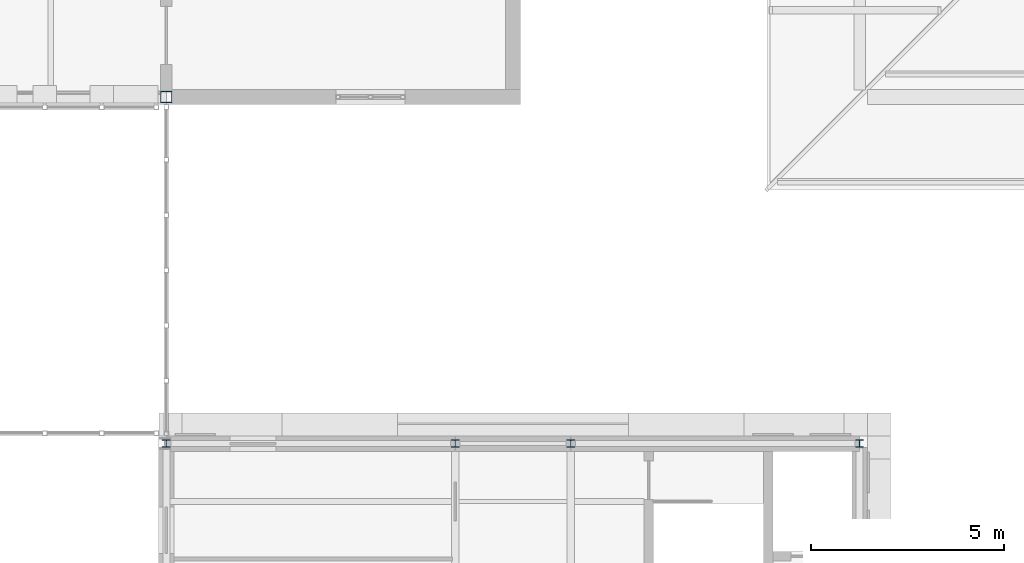
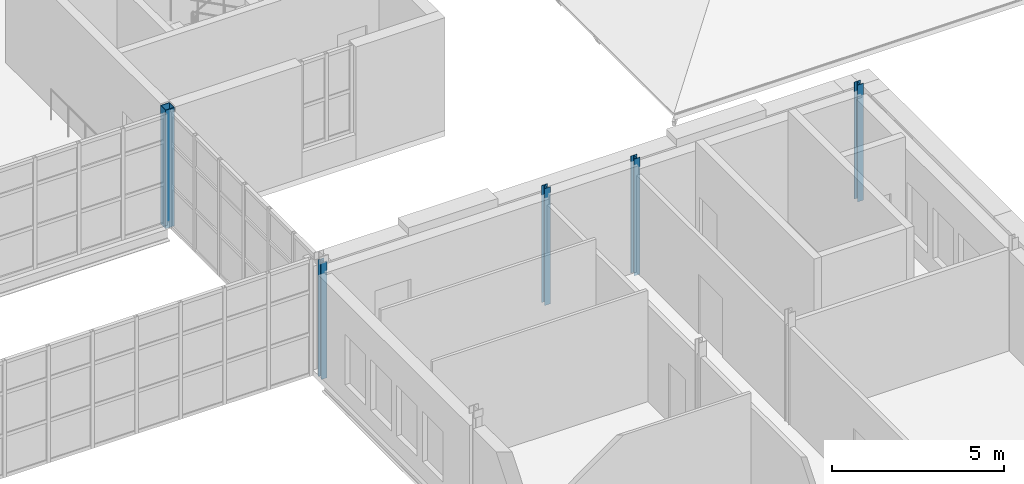
# One storey, part 15 of 154: 5 columns.
"""IFC4 building model written with IfcOpenShell, lengths in metres."""

from ifc_helpers import new_model, si_unit, direction, frame, origin, origin_2d, place, context, subcontext, project, spatial, hollow_rectangle, i_section, extrude, material, material_profile, profile_set, type_object, element, save


model = new_model("IFC4")

# Units and contexts
model_context = context("Model", 3, precision=1e-05, world=origin(), true_north=direction((0.0, 1.0)))
body_context = subcontext(model_context, "Body", "Model", "MODEL_VIEW")
ifc_project = project(units=[si_unit("LENGTHUNIT", "METRE"), si_unit("AREAUNIT", "SQUARE_METRE"), si_unit("VOLUMEUNIT", "CUBIC_METRE"), si_unit("PLANEANGLEUNIT", "RADIAN"), si_unit("MASSUNIT", "GRAM", prefix="KILO")], contexts=[model_context])

# Site, building, storey
site_placement = place(None, origin())
site = spatial("IfcSite", under=ifc_project, at=site_placement, CompositionType="ELEMENT")
building_placement = place(site_placement, origin())
building = spatial("IfcBuilding", under=site, at=building_placement, Name="Golden Quay Civic Hall", CompositionType="ELEMENT")
storey_placement = place(building_placement, frame((0.0, 0.0, 14.39990234375)))
storey = spatial("IfcBuildingStorey", under=building, at=storey_placement, Name="L03", CompositionType="ELEMENT", Elevation=14.39990234375)

# Columns
ifc_material_1 = material(Name="Steel S355", Category="steel")
ifc_material_profile_1 = material_profile(ifc_material_1, i_section(OverallWidth=0.199951171875, OverallDepth=0.18994140625, WebThickness=0.006591796875, FlangeThickness=0.010009765625, FilletRadius=0.01806640625, at=origin_2d()), Name="HEA 200")
ifc_profile_set_1 = profile_set([ifc_material_profile_1], Name="Steel S355")
column_type_1 = type_object("IfcColumnType", Name="Steel column HEA 200", PredefinedType="COLUMN", material=ifc_profile_set_1)
for number, where, z_axis, x_axis, name in (
    (1, (99.0, 54.0, -0.199951171875), (0.0, 0.0, 1.0), (1.0, 0.0, 0.0), "Column 99/54 L03"),
    (2, (106.5, 54.0, -0.199951171875), (0.0, 0.0, 1.0), (1.0, 0.0, 0.0), "Column 106.5/54 L03"),
    (3, (109.5, 54.0, -0.199951171875), (0.0, 0.0, 1.0), (1.0, 0.0, 0.0), "Column 109.5/54 L03"),
    (4, (117.0, 54.0, -0.199951171875), (0.0, 0.0, 1.0), (1.0, 0.0, 0.0), "Column 117/54 L03"),
):
    element("IfcColumn", number, at=place(storey_placement, frame(where, z_axis=z_axis, x_axis=x_axis)), inside=storey, type_object=column_type_1, Name=name, PredefinedType="COLUMN", context=body_context, shape_type="SweptSolid", body=[
        extrude(i_section(OverallWidth=0.199951171875, OverallDepth=0.18994140625, WebThickness=0.006591796875, FlangeThickness=0.010009765625, FilletRadius=0.01806640625, at=origin_2d()), origin(), (0.0, 0.0, 1.0), 4.150146484375),
    ])
ifc_material_2 = material(Name="Steel S355", Category="steel")
ifc_material_profile_2 = material_profile(ifc_material_2, hollow_rectangle(XDim=0.300048828125, YDim=0.300048828125, WallThickness=0.01611328125, at=origin_2d()), Name="SHS 300x300x16")
ifc_profile_set_2 = profile_set([ifc_material_profile_2], Name="Steel S355")
column_type_2 = type_object("IfcColumnType", Name="Steel column SHS 300x300x16", PredefinedType="COLUMN", material=ifc_profile_set_2)
column_placement = place(storey_placement, frame((99.0, 63.0, -0.25), z_axis=(0.0, 0.0, 1.0), x_axis=(1.0, 0.0, 0.0)))
element("IfcColumn", 5, at=column_placement, inside=storey, type_object=column_type_2, Name="Column east foyer gable", PredefinedType="COLUMN", context=body_context, shape_type="SweptSolid", body=[
    extrude(hollow_rectangle(XDim=0.300048828125, YDim=0.300048828125, WallThickness=0.01611328125, at=origin_2d()), origin(), (0.0, 0.0, 1.0), 4.2001953125),
])

save(model, "model.ifc")
